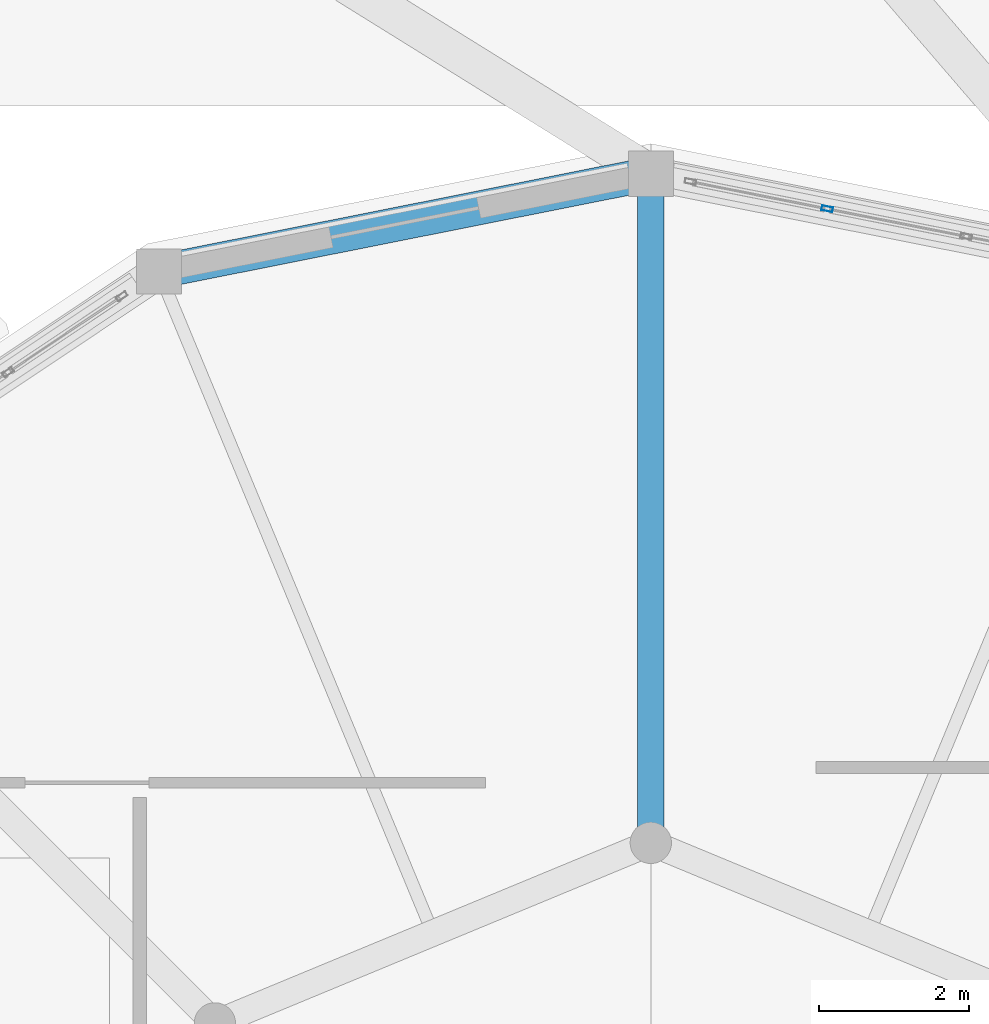
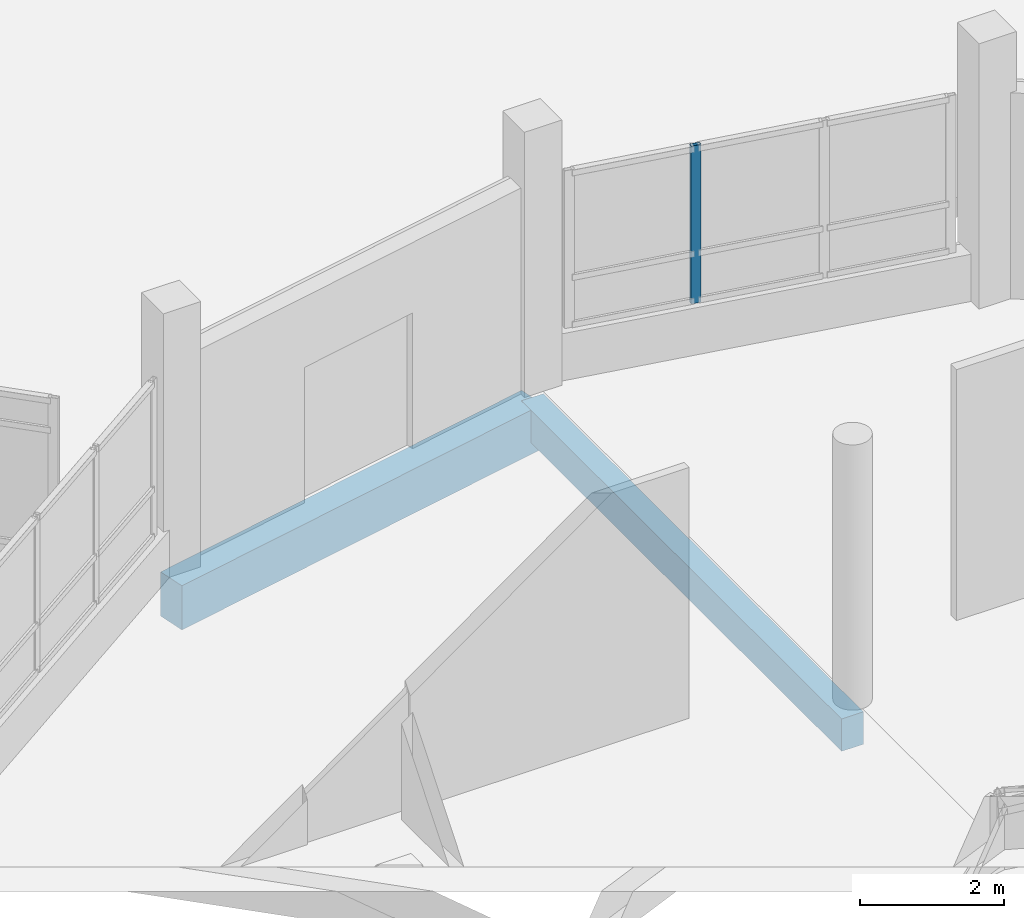
# One storey, part 79 of 129: 2 beams, 1 member, 1 element without a shape of its own.
"""IFC4 building model written with IfcOpenShell, lengths in metres."""

from ifc_helpers import new_model, si_unit, direction, frame, origin, origin_2d, place, context, subcontext, project, spatial, rectangle, hollow_rectangle, extrude, material, layer, layer_set, material_profile, profile_set, type_object, element, aggregate, save


model = new_model("IFC4")

# Units and contexts
model_context = context("Model", 3, precision=1e-05, world=origin(), true_north=direction((0.0, 1.0)))
body_context = subcontext(model_context, "Body", "Model", "MODEL_VIEW")
ifc_project = project(units=[si_unit("LENGTHUNIT", "METRE"), si_unit("AREAUNIT", "SQUARE_METRE"), si_unit("VOLUMEUNIT", "CUBIC_METRE"), si_unit("PLANEANGLEUNIT", "RADIAN"), si_unit("MASSUNIT", "GRAM", prefix="KILO")], contexts=[model_context])

# Site, building, storey
site_placement = place(None, origin())
site = spatial("IfcSite", under=ifc_project, at=site_placement, CompositionType="ELEMENT")
building_placement = place(site_placement, origin())
building = spatial("IfcBuilding", under=site, at=building_placement, Name="Vespera Passage Community Centre", CompositionType="ELEMENT")
storey_placement = place(building_placement, origin())
storey = spatial("IfcBuildingStorey", under=building, at=storey_placement, Name="L00", CompositionType="ELEMENT", Elevation=0.0)

# Beams
ifc_material_1 = material(Name="Concrete f'c 35 MPa", Category="concrete")
ifc_material_profile_1 = material_profile(ifc_material_1, rectangle(XDim=0.35009765625, YDim=0.550048828125, at=origin_2d()), Name="RC350X550")
ifc_profile_set_1 = profile_set([ifc_material_profile_1], Name="Concrete f'c 35 MPa")
beam_type_1 = type_object("IfcBeamType", Name="BM-J-350X550", PredefinedType="JOIST", material=ifc_profile_set_1)
beam_1_placement = place(storey_placement, frame((141.0, 33.199951171875, -0.554931640625), z_axis=(0.0, 1.0, 0.0), x_axis=(-1.0, 0.0, 0.0)))
element("IfcBeam", 1, at=beam_1_placement, inside=storey, type_object=beam_type_1, Name="V3 L00 Radial Girder 3", PredefinedType="JOIST", context=body_context, shape_type="SweptSolid", body=[
    extrude(rectangle(XDim=0.35009765625, YDim=0.550048828125, at=origin_2d()), origin(), (0.0, 0.0, 1.0), 8.900146484375),
])
ifc_material_2 = material(Name="Concrete f'c 35 MPa", Category="concrete")
ifc_material_profile_2 = material_profile(ifc_material_2, rectangle(XDim=0.449951171875, YDim=0.75, at=origin_2d()), Name="RC450X750")
ifc_profile_set_2 = profile_set([ifc_material_profile_2], Name="Concrete f'c 35 MPa")
beam_type_2 = type_object("IfcBeamType", Name="BM-SP-450X750E", PredefinedType="SPANDREL", material=ifc_profile_set_2)
beam_2_placement = place(storey_placement, frame((141.0, 42.10009765625, -0.655029296875), z_axis=(-0.980782809509, -0.195102743632, 0.0), x_axis=(0.195102743632, -0.980782809509, 0.0)))
element("IfcBeam", 2, at=beam_2_placement, inside=storey, type_object=beam_type_2, Name="V3 L00 Spandrel 5", PredefinedType="SPANDREL", context=body_context, shape_type="SweptSolid", body=[
    extrude(rectangle(XDim=0.449951171875, YDim=0.75, at=origin_2d()), origin(), (0.0, 0.0, 1.0), 6.672119140625),
])

# Curtain wall, member
ifc_material_3 = material(Name="Anodized aluminium 6063-T6", Category="aluminium")
ifc_layer = layer(ifc_material_3, 0.159912109375)
ifc_layer_set = layer_set([ifc_layer], Name="Anodized aluminium 6063-T6")
curtain_wall_type = type_object("IfcCurtainWallType", Name="CW-101E", PredefinedType="NOTDEFINED", material=ifc_layer_set)
curtain_wall_placement = place(storey_placement, origin())
curtain_wall = element("IfcCurtainWall", 3, at=curtain_wall_placement, inside=storey, type_object=curtain_wall_type, Name="Dining Drum Ribbon Curtain Wall L00.4", PredefinedType="NOTDEFINED")
ifc_material_4 = material(Name="Anodized aluminium 6063-T6", Category="aluminium")
ifc_material_profile_3 = material_profile(ifc_material_4, hollow_rectangle(XDim=0.06494140625, YDim=0.14990234375, WallThickness=0.00390625, InnerFilletRadius=0.001953125, OuterFilletRadius=0.00390625, at=origin_2d()), Name="ALU150X65X4")
ifc_profile_set_3 = profile_set([ifc_material_profile_3], Name="Anodized aluminium 6063-T6")
member_type = type_object("IfcMemberType", Name="MB-CWM-150E", PredefinedType="MULLION", material=ifc_profile_set_3)
member_placement = place(storey_placement, frame((143.3466796875, 41.63330078125, 0.800048828125), z_axis=(0.0, 0.0, 1.0), x_axis=(0.195096778691, 0.980783996069, 0.0)))
member = element("IfcMember", 4, at=member_placement, type_object=member_type, Name="CW-101E mullion 2", PredefinedType="MULLION", context=body_context, shape_type="SweptSolid", body=[
    extrude(hollow_rectangle(XDim=0.06494140625, YDim=0.14990234375, WallThickness=0.00390625, InnerFilletRadius=0.001953125, OuterFilletRadius=0.00390625, at=origin_2d()), origin(), (0.0, 0.0, 1.0), 2.675048828125),
])
aggregate(curtain_wall, [member])

save(model, "model.ifc")
